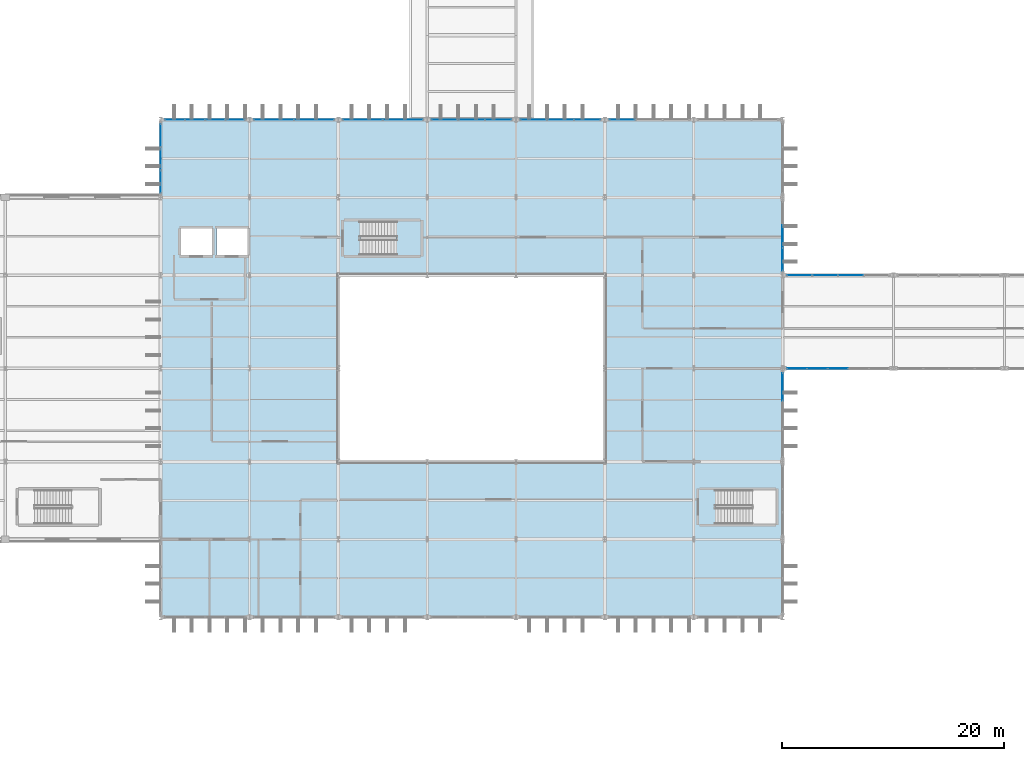
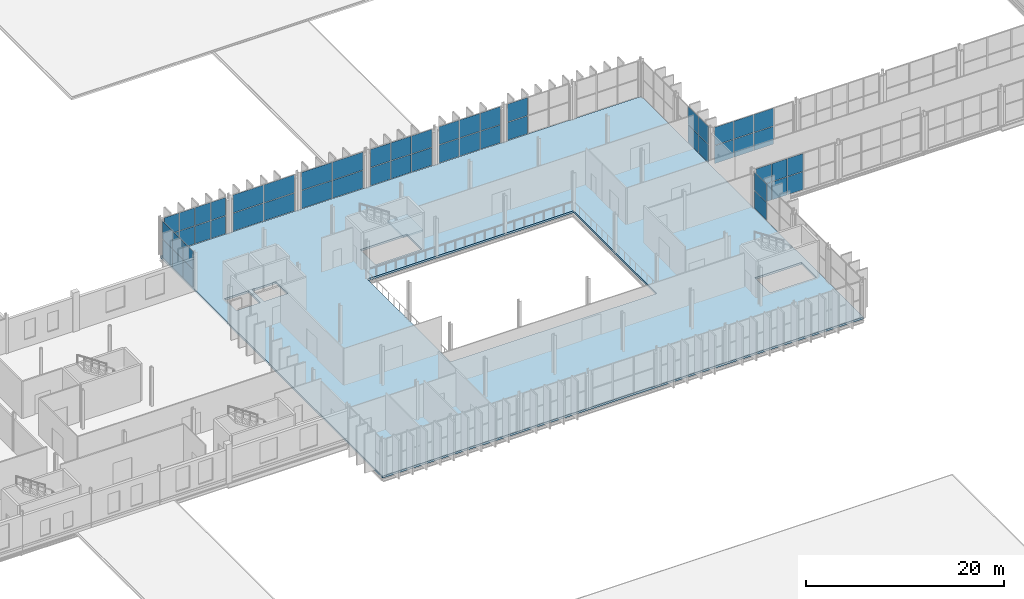
# One storey, part 83 of 120: 54 plates, 2 slabs, 12 elements without a shape of their own.
"""IFC4 building model written with IfcOpenShell, lengths in metres."""

from ifc_helpers import new_model, si_unit, direction, frame, origin, origin_2d, place, context, subcontext, project, spatial, polyline, rectangle, outline, extrude, material, layer, layer_set, type_object, element, aggregate, save


model = new_model("IFC4")

# Units and contexts
model_context = context("Model", 3, precision=1e-05, world=origin(), true_north=direction((0.0, 1.0)))
body_context = subcontext(model_context, "Body", "Model", "MODEL_VIEW")
ifc_project = project(units=[si_unit("LENGTHUNIT", "METRE"), si_unit("AREAUNIT", "SQUARE_METRE"), si_unit("VOLUMEUNIT", "CUBIC_METRE"), si_unit("PLANEANGLEUNIT", "RADIAN"), si_unit("MASSUNIT", "GRAM", prefix="KILO")], contexts=[model_context])

# Site, building, storey
site_placement = place(None, origin())
site = spatial("IfcSite", under=ifc_project, at=site_placement, CompositionType="ELEMENT")
building_placement = place(site_placement, origin())
building = spatial("IfcBuilding", under=site, at=building_placement, Name="Vekula Escarpment Museum", CompositionType="ELEMENT")
storey_placement = place(building_placement, frame((0.0, 0.0, 13.199951171875)))
storey = spatial("IfcBuildingStorey", under=building, at=storey_placement, Name="L03", CompositionType="ELEMENT", Elevation=13.199951171875)

# Curtain wall, plates
ifc_material_1 = material(Name="Aluminium thermally broken framing", Category="aluminium")
ifc_layer_1 = layer(ifc_material_1, 0.169921875)
ifc_layer_set_1 = layer_set([ifc_layer_1], Name="Aluminium thermally broken framing")
curtain_wall_type_1 = type_object("IfcCurtainWallType", Name="CW-SYS-10", PredefinedType="NOTDEFINED", material=ifc_layer_set_1)
curtain_wall_1_placement = place(storey_placement, origin())
curtain_wall_1 = element("IfcCurtainWall", 1, at=curtain_wall_1_placement, inside=storey, type_object=curtain_wall_type_1, Name="Curtain Wall CW-L03-120", PredefinedType="NOTDEFINED")
ifc_material_2 = material(Name="Double solar-control low-E glass", Category="glass")
ifc_layer_2 = layer(ifc_material_2, 0.028076171875)
ifc_layer_set_2 = layer_set([ifc_layer_2], Name="Double solar-control low-E glass")
plate_type_1 = type_object("IfcPlateType", Name="CW-PNL-28", PredefinedType="CURTAIN_PANEL", material=ifc_layer_set_2)
plate_1_placement = place(storey_placement, frame((132.159912109375, 76.39990234375, 0.06005859375), z_axis=(0.0, 0.0, 1.0), x_axis=(-1.0, 0.0, 0.0)))
plate_1 = element("IfcPlate", 2, at=plate_1_placement, type_object=plate_type_1, Name="CW-10 panel 2.1", PredefinedType="CURTAIN_PANEL", context=body_context, shape_type="SweptSolid", body=[
    extrude(rectangle(XDim=2.260009765625, YDim=0.028076171875, at=origin_2d()), origin(), (0.0, 0.0, 1.0), 2.18994140625),
])
plate_2_placement = place(storey_placement, frame((132.159912109375, 76.39990234375, 2.31005859375), z_axis=(0.0, 0.0, 1.0), x_axis=(-1.0, 0.0, 0.0)))
plate_2 = element("IfcPlate", 3, at=plate_2_placement, type_object=plate_type_1, Name="CW-10 panel 2.2", PredefinedType="CURTAIN_PANEL", context=body_context, shape_type="SweptSolid", body=[
    extrude(rectangle(XDim=2.260009765625, YDim=0.028076171875, at=origin_2d()), origin(), (0.0, 0.0, 1.0), 2.18994140625),
])
plate_3_placement = place(storey_placement, frame((129.840087890625, 76.39990234375, 0.06005859375), z_axis=(0.0, 0.0, 1.0), x_axis=(-1.0, 0.0, 0.0)))
plate_3 = element("IfcPlate", 4, at=plate_3_placement, type_object=plate_type_1, Name="CW-10 panel 3.1", PredefinedType="CURTAIN_PANEL", context=body_context, shape_type="SweptSolid", body=[
    extrude(rectangle(XDim=2.260009765625, YDim=0.028076171875, at=origin_2d()), origin(), (0.0, 0.0, 1.0), 2.18994140625),
])
plate_4_placement = place(storey_placement, frame((129.840087890625, 76.39990234375, 2.31005859375), z_axis=(0.0, 0.0, 1.0), x_axis=(-1.0, 0.0, 0.0)))
plate_4 = element("IfcPlate", 5, at=plate_4_placement, type_object=plate_type_1, Name="CW-10 panel 3.2", PredefinedType="CURTAIN_PANEL", context=body_context, shape_type="SweptSolid", body=[
    extrude(rectangle(XDim=2.260009765625, YDim=0.028076171875, at=origin_2d()), origin(), (0.0, 0.0, 1.0), 2.18994140625),
])
plate_5_placement = place(storey_placement, frame((127.534912109375, 76.39990234375, 0.06005859375), z_axis=(0.0, 0.0, 1.0), x_axis=(-1.0, 0.0, 0.0)))
plate_5 = element("IfcPlate", 6, at=plate_5_placement, type_object=plate_type_1, Name="CW-10 panel 4.1", PredefinedType="CURTAIN_PANEL", context=body_context, shape_type="SweptSolid", body=[
    extrude(rectangle(XDim=2.22998046875, YDim=0.028076171875, at=origin_2d()), origin(), (0.0, 0.0, 1.0), 2.18994140625),
])
plate_6_placement = place(storey_placement, frame((127.534912109375, 76.39990234375, 2.31005859375), z_axis=(0.0, 0.0, 1.0), x_axis=(-1.0, 0.0, 0.0)))
plate_6 = element("IfcPlate", 7, at=plate_6_placement, type_object=plate_type_1, Name="CW-10 panel 4.2", PredefinedType="CURTAIN_PANEL", context=body_context, shape_type="SweptSolid", body=[
    extrude(rectangle(XDim=2.22998046875, YDim=0.028076171875, at=origin_2d()), origin(), (0.0, 0.0, 1.0), 2.18994140625),
])
aggregate(curtain_wall_1, [plate_1, plate_2, plate_3, plate_4, plate_5, plate_6])

ifc_material_3 = material(Name="Aluminium thermally broken framing", Category="aluminium")
ifc_layer_3 = layer(ifc_material_3, 0.199951171875)
ifc_layer_set_3 = layer_set([ifc_layer_3], Name="Aluminium thermally broken framing")
curtain_wall_type_2 = type_object("IfcCurtainWallType", Name="CW-SYS-04", PredefinedType="NOTDEFINED", material=ifc_layer_set_3)
curtain_wall_2_placement = place(storey_placement, origin())
curtain_wall_2 = element("IfcCurtainWall", 8, at=curtain_wall_2_placement, inside=storey, type_object=curtain_wall_type_2, Name="Curtain Wall CW-L03-124", PredefinedType="NOTDEFINED")
plate_7_placement = place(storey_placement, frame((111.58837890625, 90.39990234375, 0.06005859375), z_axis=(0.0, 0.0, 1.0), x_axis=(-1.0, 0.0, 0.0)))
plate_7 = element("IfcPlate", 9, at=plate_7_placement, type_object=plate_type_1, Name="CW-04 panel 3.1", PredefinedType="CURTAIN_PANEL", context=body_context, shape_type="SweptSolid", body=[
    extrude(rectangle(XDim=2.336669921875, YDim=0.028076171875, at=origin_2d()), origin(), (0.0, 0.0, 1.0), 2.18994140625),
])
plate_8_placement = place(storey_placement, frame((111.58837890625, 90.39990234375, 2.31005859375), z_axis=(0.0, 0.0, 1.0), x_axis=(-1.0, 0.0, 0.0)))
plate_8 = element("IfcPlate", 10, at=plate_8_placement, type_object=plate_type_1, Name="CW-04 panel 3.2", PredefinedType="CURTAIN_PANEL", context=body_context, shape_type="SweptSolid", body=[
    extrude(rectangle(XDim=2.336669921875, YDim=0.028076171875, at=origin_2d()), origin(), (0.0, 0.0, 1.0), 2.18994140625),
])
aggregate(curtain_wall_2, [plate_7, plate_8])

ifc_material_4 = material(Name="Aluminium thermally broken framing", Category="aluminium")
ifc_layer_4 = layer(ifc_material_4, 0.179931640625)
ifc_layer_set_4 = layer_set([ifc_layer_4], Name="Aluminium thermally broken framing")
curtain_wall_type_3 = type_object("IfcCurtainWallType", Name="CW-SYS-08", PredefinedType="NOTDEFINED", material=ifc_layer_set_4)
curtain_wall_3_placement = place(storey_placement, origin())
curtain_wall_3 = element("IfcCurtainWall", 11, at=curtain_wall_3_placement, inside=storey, type_object=curtain_wall_type_3, Name="Curtain Wall CW-L03-128", PredefinedType="NOTDEFINED")
plate_9_placement = place(storey_placement, frame((83.804931640625, 90.39990234375, 0.06005859375), z_axis=(0.0, 0.0, 1.0), x_axis=(-1.0, 0.0, 0.0)))
plate_9 = element("IfcPlate", 12, at=plate_9_placement, type_object=plate_type_1, Name="CW-08 panel 1.1", PredefinedType="CURTAIN_PANEL", context=body_context, shape_type="SweptSolid", body=[
    extrude(rectangle(XDim=3.550048828125, YDim=0.028076171875, at=origin_2d()), origin(), (0.0, 0.0, 1.0), 2.18994140625),
])
plate_10_placement = place(storey_placement, frame((83.804931640625, 90.39990234375, 2.31005859375), z_axis=(0.0, 0.0, 1.0), x_axis=(-1.0, 0.0, 0.0)))
plate_10 = element("IfcPlate", 13, at=plate_10_placement, type_object=plate_type_1, Name="CW-08 panel 1.2", PredefinedType="CURTAIN_PANEL", context=body_context, shape_type="SweptSolid", body=[
    extrude(rectangle(XDim=3.550048828125, YDim=0.028076171875, at=origin_2d()), origin(), (0.0, 0.0, 1.0), 2.18994140625),
])
plate_11_placement = place(storey_placement, frame((80.195068359375, 90.39990234375, 0.06005859375), z_axis=(0.0, 0.0, 1.0), x_axis=(-1.0, 0.0, 0.0)))
plate_11 = element("IfcPlate", 14, at=plate_11_placement, type_object=plate_type_1, Name="CW-08 panel 2.1", PredefinedType="CURTAIN_PANEL", context=body_context, shape_type="SweptSolid", body=[
    extrude(rectangle(XDim=3.550048828125, YDim=0.028076171875, at=origin_2d()), origin(), (0.0, 0.0, 1.0), 2.18994140625),
])
plate_12_placement = place(storey_placement, frame((80.195068359375, 90.39990234375, 2.31005859375), z_axis=(0.0, 0.0, 1.0), x_axis=(-1.0, 0.0, 0.0)))
plate_12 = element("IfcPlate", 15, at=plate_12_placement, type_object=plate_type_1, Name="CW-08 panel 2.2", PredefinedType="CURTAIN_PANEL", context=body_context, shape_type="SweptSolid", body=[
    extrude(rectangle(XDim=3.550048828125, YDim=0.028076171875, at=origin_2d()), origin(), (0.0, 0.0, 1.0), 2.18994140625),
])
aggregate(curtain_wall_3, [plate_9, plate_10, plate_11, plate_12])

ifc_material_5 = material(Name="Aluminium thermally broken framing", Category="aluminium")
ifc_layer_5 = layer(ifc_material_5, 0.159912109375)
ifc_layer_set_5 = layer_set([ifc_layer_5], Name="Aluminium thermally broken framing")
curtain_wall_type_4 = type_object("IfcCurtainWallType", Name="CW-SYS-01", PredefinedType="NOTDEFINED", material=ifc_layer_set_5)
curtain_wall_4_placement = place(storey_placement, origin())
curtain_wall_4 = element("IfcCurtainWall", 16, at=curtain_wall_4_placement, inside=storey, type_object=curtain_wall_type_4, Name="Curtain Wall CW-L03-121", PredefinedType="NOTDEFINED")
ifc_material_6 = material(Name="Acoustic laminated double low-E glass", Category="glass")
ifc_layer_6 = layer(ifc_material_6, 0.031982421875)
ifc_layer_set_6 = layer_set([ifc_layer_6], Name="Acoustic laminated double low-E glass")
plate_type_2 = type_object("IfcPlateType", Name="CW-PNL-32", PredefinedType="CURTAIN_PANEL", material=ifc_layer_set_6)
plate_13_placement = place(storey_placement, frame((126.0, 77.82177734375, 0.06005859375), z_axis=(0.0, 0.0, 1.0), x_axis=(0.0, 1.0, 0.0)))
plate_13 = element("IfcPlate", 17, at=plate_13_placement, type_object=plate_type_2, Name="CW-01 panel 1.1", PredefinedType="CURTAIN_PANEL", context=body_context, shape_type="SweptSolid", body=[
    extrude(rectangle(XDim=2.00341796875, YDim=0.031982421875, at=origin_2d()), origin(), (0.0, 0.0, 1.0), 2.18994140625),
])
plate_14_placement = place(storey_placement, frame((126.0, 77.82177734375, 2.31005859375), z_axis=(0.0, 0.0, 1.0), x_axis=(0.0, 1.0, 0.0)))
plate_14 = element("IfcPlate", 18, at=plate_14_placement, type_object=plate_type_2, Name="CW-01 panel 1.2", PredefinedType="CURTAIN_PANEL", context=body_context, shape_type="SweptSolid", body=[
    extrude(rectangle(XDim=2.00341796875, YDim=0.031982421875, at=origin_2d()), origin(), (0.0, 0.0, 1.0), 2.18994140625),
])
plate_15_placement = place(storey_placement, frame((126.0, 79.89990234375, 0.06005859375), z_axis=(0.0, 0.0, 1.0), x_axis=(0.0, 1.0, 0.0)))
plate_15 = element("IfcPlate", 19, at=plate_15_placement, type_object=plate_type_2, Name="CW-01 panel 2.1", PredefinedType="CURTAIN_PANEL", context=body_context, shape_type="SweptSolid", body=[
    extrude(rectangle(XDim=2.033447265625, YDim=0.031982421875, at=origin_2d()), origin(), (0.0, 0.0, 1.0), 2.18994140625),
])
plate_16_placement = place(storey_placement, frame((126.0, 79.89990234375, 2.31005859375), z_axis=(0.0, 0.0, 1.0), x_axis=(0.0, 1.0, 0.0)))
plate_16 = element("IfcPlate", 20, at=plate_16_placement, type_object=plate_type_2, Name="CW-01 panel 2.2", PredefinedType="CURTAIN_PANEL", context=body_context, shape_type="SweptSolid", body=[
    extrude(rectangle(XDim=2.033447265625, YDim=0.031982421875, at=origin_2d()), origin(), (0.0, 0.0, 1.0), 2.18994140625),
])
aggregate(curtain_wall_4, [plate_13, plate_14, plate_15, plate_16])

ifc_material_7 = material(Name="Aluminium thermally broken framing", Category="aluminium")
ifc_layer_7 = layer(ifc_material_7, 0.159912109375)
ifc_layer_set_7 = layer_set([ifc_layer_7], Name="Aluminium thermally broken framing")
curtain_wall_type_5 = type_object("IfcCurtainWallType", Name="CW-SYS-05", PredefinedType="NOTDEFINED", material=ifc_layer_set_7)
curtain_wall_5_placement = place(storey_placement, origin())
curtain_wall_5 = element("IfcCurtainWall", 21, at=curtain_wall_5_placement, inside=storey, type_object=curtain_wall_type_5, Name="Curtain Wall CW-L03-125", PredefinedType="NOTDEFINED")
plate_17_placement = place(storey_placement, frame((108.41162109375, 90.39990234375, 0.06005859375), z_axis=(0.0, 0.0, 1.0), x_axis=(-1.0, 0.0, 0.0)))
plate_17 = element("IfcPlate", 22, at=plate_17_placement, type_object=plate_type_2, Name="CW-05 panel 1.1", PredefinedType="CURTAIN_PANEL", context=body_context, shape_type="SweptSolid", body=[
    extrude(rectangle(XDim=2.336669921875, YDim=0.031982421875, at=origin_2d()), origin(), (0.0, 0.0, 1.0), 2.18994140625),
])
plate_18_placement = place(storey_placement, frame((108.41162109375, 90.39990234375, 2.31005859375), z_axis=(0.0, 0.0, 1.0), x_axis=(-1.0, 0.0, 0.0)))
plate_18 = element("IfcPlate", 23, at=plate_18_placement, type_object=plate_type_2, Name="CW-05 panel 1.2", PredefinedType="CURTAIN_PANEL", context=body_context, shape_type="SweptSolid", body=[
    extrude(rectangle(XDim=2.336669921875, YDim=0.031982421875, at=origin_2d()), origin(), (0.0, 0.0, 1.0), 2.18994140625),
])
plate_19_placement = place(storey_placement, frame((106.0, 90.39990234375, 0.06005859375), z_axis=(0.0, 0.0, 1.0), x_axis=(-1.0, 0.0, 0.0)))
plate_19 = element("IfcPlate", 24, at=plate_19_placement, type_object=plate_type_2, Name="CW-05 panel 2.1", PredefinedType="CURTAIN_PANEL", context=body_context, shape_type="SweptSolid", body=[
    extrude(rectangle(XDim=2.36669921875, YDim=0.031982421875, at=origin_2d()), origin(), (0.0, 0.0, 1.0), 2.18994140625),
])
plate_20_placement = place(storey_placement, frame((106.0, 90.39990234375, 2.31005859375), z_axis=(0.0, 0.0, 1.0), x_axis=(-1.0, 0.0, 0.0)))
plate_20 = element("IfcPlate", 25, at=plate_20_placement, type_object=plate_type_2, Name="CW-05 panel 2.2", PredefinedType="CURTAIN_PANEL", context=body_context, shape_type="SweptSolid", body=[
    extrude(rectangle(XDim=2.36669921875, YDim=0.031982421875, at=origin_2d()), origin(), (0.0, 0.0, 1.0), 2.18994140625),
])
plate_21_placement = place(storey_placement, frame((103.58837890625, 90.39990234375, 0.06005859375), z_axis=(0.0, 0.0, 1.0), x_axis=(-1.0, 0.0, 0.0)))
plate_21 = element("IfcPlate", 26, at=plate_21_placement, type_object=plate_type_2, Name="CW-05 panel 3.1", PredefinedType="CURTAIN_PANEL", context=body_context, shape_type="SweptSolid", body=[
    extrude(rectangle(XDim=2.336669921875, YDim=0.031982421875, at=origin_2d()), origin(), (0.0, 0.0, 1.0), 2.18994140625),
])
plate_22_placement = place(storey_placement, frame((103.58837890625, 90.39990234375, 2.31005859375), z_axis=(0.0, 0.0, 1.0), x_axis=(-1.0, 0.0, 0.0)))
plate_22 = element("IfcPlate", 27, at=plate_22_placement, type_object=plate_type_2, Name="CW-05 panel 3.2", PredefinedType="CURTAIN_PANEL", context=body_context, shape_type="SweptSolid", body=[
    extrude(rectangle(XDim=2.336669921875, YDim=0.031982421875, at=origin_2d()), origin(), (0.0, 0.0, 1.0), 2.18994140625),
])
aggregate(curtain_wall_5, [plate_17, plate_18, plate_19, plate_20, plate_21, plate_22])

ifc_material_8 = material(Name="Aluminium thermally broken framing", Category="aluminium")
ifc_layer_8 = layer(ifc_material_8, 0.14990234375)
ifc_layer_set_8 = layer_set([ifc_layer_8], Name="Aluminium thermally broken framing")
curtain_wall_type_6 = type_object("IfcCurtainWallType", Name="CW-SYS-09", PredefinedType="NOTDEFINED", material=ifc_layer_set_8)
curtain_wall_6_placement = place(storey_placement, origin())
curtain_wall_6 = element("IfcCurtainWall", 28, at=curtain_wall_6_placement, inside=storey, type_object=curtain_wall_type_6, Name="Curtain Wall CW-L03-129", PredefinedType="NOTDEFINED")
plate_23_placement = place(storey_placement, frame((76.715087890625, 90.39990234375, 0.06005859375), z_axis=(0.0, 0.0, 1.0), x_axis=(-1.0, 0.0, 0.0)))
plate_23 = element("IfcPlate", 29, at=plate_23_placement, type_object=plate_type_2, Name="CW-09 panel 1.1", PredefinedType="CURTAIN_PANEL", context=body_context, shape_type="SweptSolid", body=[
    extrude(rectangle(XDim=1.72998046875, YDim=0.031982421875, at=origin_2d()), origin(), (0.0, 0.0, 1.0), 2.18994140625),
])
plate_24_placement = place(storey_placement, frame((76.715087890625, 90.39990234375, 2.31005859375), z_axis=(0.0, 0.0, 1.0), x_axis=(-1.0, 0.0, 0.0)))
plate_24 = element("IfcPlate", 30, at=plate_24_placement, type_object=plate_type_2, Name="CW-09 panel 1.2", PredefinedType="CURTAIN_PANEL", context=body_context, shape_type="SweptSolid", body=[
    extrude(rectangle(XDim=1.72998046875, YDim=0.031982421875, at=origin_2d()), origin(), (0.0, 0.0, 1.0), 2.18994140625),
])
plate_25_placement = place(storey_placement, frame((74.909912109375, 90.39990234375, 0.06005859375), z_axis=(0.0, 0.0, 1.0), x_axis=(-1.0, 0.0, 0.0)))
plate_25 = element("IfcPlate", 31, at=plate_25_placement, type_object=plate_type_2, Name="CW-09 panel 2.1", PredefinedType="CURTAIN_PANEL", context=body_context, shape_type="SweptSolid", body=[
    extrude(rectangle(XDim=1.760009765625, YDim=0.031982421875, at=origin_2d()), origin(), (0.0, 0.0, 1.0), 2.18994140625),
])
plate_26_placement = place(storey_placement, frame((74.909912109375, 90.39990234375, 2.31005859375), z_axis=(0.0, 0.0, 1.0), x_axis=(-1.0, 0.0, 0.0)))
plate_26 = element("IfcPlate", 32, at=plate_26_placement, type_object=plate_type_2, Name="CW-09 panel 2.2", PredefinedType="CURTAIN_PANEL", context=body_context, shape_type="SweptSolid", body=[
    extrude(rectangle(XDim=1.760009765625, YDim=0.031982421875, at=origin_2d()), origin(), (0.0, 0.0, 1.0), 2.18994140625),
])
plate_27_placement = place(storey_placement, frame((73.090087890625, 90.39990234375, 0.06005859375), z_axis=(0.0, 0.0, 1.0), x_axis=(-1.0, 0.0, 0.0)))
plate_27 = element("IfcPlate", 33, at=plate_27_placement, type_object=plate_type_2, Name="CW-09 panel 3.1", PredefinedType="CURTAIN_PANEL", context=body_context, shape_type="SweptSolid", body=[
    extrude(rectangle(XDim=1.760009765625, YDim=0.031982421875, at=origin_2d()), origin(), (0.0, 0.0, 1.0), 2.18994140625),
])
plate_28_placement = place(storey_placement, frame((73.090087890625, 90.39990234375, 2.31005859375), z_axis=(0.0, 0.0, 1.0), x_axis=(-1.0, 0.0, 0.0)))
plate_28 = element("IfcPlate", 34, at=plate_28_placement, type_object=plate_type_2, Name="CW-09 panel 3.2", PredefinedType="CURTAIN_PANEL", context=body_context, shape_type="SweptSolid", body=[
    extrude(rectangle(XDim=1.760009765625, YDim=0.031982421875, at=origin_2d()), origin(), (0.0, 0.0, 1.0), 2.18994140625),
])
plate_29_placement = place(storey_placement, frame((71.284912109375, 90.39990234375, 0.06005859375), z_axis=(0.0, 0.0, 1.0), x_axis=(-1.0, 0.0, 0.0)))
plate_29 = element("IfcPlate", 35, at=plate_29_placement, type_object=plate_type_2, Name="CW-09 panel 4.1", PredefinedType="CURTAIN_PANEL", context=body_context, shape_type="SweptSolid", body=[
    extrude(rectangle(XDim=1.72998046875, YDim=0.031982421875, at=origin_2d()), origin(), (0.0, 0.0, 1.0), 2.18994140625),
])
plate_30_placement = place(storey_placement, frame((71.284912109375, 90.39990234375, 2.31005859375), z_axis=(0.0, 0.0, 1.0), x_axis=(-1.0, 0.0, 0.0)))
plate_30 = element("IfcPlate", 36, at=plate_30_placement, type_object=plate_type_2, Name="CW-09 panel 4.2", PredefinedType="CURTAIN_PANEL", context=body_context, shape_type="SweptSolid", body=[
    extrude(rectangle(XDim=1.72998046875, YDim=0.031982421875, at=origin_2d()), origin(), (0.0, 0.0, 1.0), 2.18994140625),
])
aggregate(curtain_wall_6, [plate_23, plate_24, plate_25, plate_26, plate_27, plate_28, plate_29, plate_30])

curtain_wall_7_placement = place(storey_placement, origin())
curtain_wall_7 = element("IfcCurtainWall", 37, at=curtain_wall_7_placement, inside=storey, type_object=curtain_wall_type_1, Name="Curtain Wall CW-L03-110", PredefinedType="NOTDEFINED")
ifc_material_9 = material(Name="Triple UV-filtered museum gallery glass", Category="glass")
ifc_layer_9 = layer(ifc_material_9, 0.035888671875)
ifc_layer_set_9 = layer_set([ifc_layer_9], Name="Triple UV-filtered museum gallery glass")
plate_type_3 = type_object("IfcPlateType", Name="CW-PNL-36", PredefinedType="CURTAIN_PANEL", material=ifc_layer_set_9)
plate_31_placement = place(storey_placement, frame((126.0, 66.344970703125, 0.06005859375), z_axis=(0.0, 0.0, 1.0), x_axis=(0.0, 1.0, 0.0)))
plate_31 = element("IfcPlate", 38, at=plate_31_placement, type_object=plate_type_3, Name="CW-10 panel 3.1", PredefinedType="CURTAIN_PANEL", context=body_context, shape_type="SweptSolid", body=[
    extrude(rectangle(XDim=2.469970703125, YDim=0.035888671875, at=origin_2d()), origin(), (0.0, 0.0, 1.0), 2.18994140625),
])
plate_32_placement = place(storey_placement, frame((126.0, 66.344970703125, 2.31005859375), z_axis=(0.0, 0.0, 1.0), x_axis=(0.0, 1.0, 0.0)))
plate_32 = element("IfcPlate", 39, at=plate_32_placement, type_object=plate_type_3, Name="CW-10 panel 3.2", PredefinedType="CURTAIN_PANEL", context=body_context, shape_type="SweptSolid", body=[
    extrude(rectangle(XDim=2.469970703125, YDim=0.035888671875, at=origin_2d()), origin(), (0.0, 0.0, 1.0), 2.18994140625),
])
aggregate(curtain_wall_7, [plate_31, plate_32])

ifc_material_10 = material(Name="Aluminium thermally broken framing", Category="aluminium")
ifc_layer_10 = layer(ifc_material_10, 0.139892578125)
ifc_layer_set_10 = layer_set([ifc_layer_10], Name="Aluminium thermally broken framing")
curtain_wall_type_7 = type_object("IfcCurtainWallType", Name="CW-SYS-06", PredefinedType="NOTDEFINED", material=ifc_layer_set_10)
curtain_wall_8_placement = place(storey_placement, origin())
curtain_wall_8 = element("IfcCurtainWall", 40, at=curtain_wall_8_placement, inside=storey, type_object=curtain_wall_type_7, Name="Curtain Wall CW-L03-126", PredefinedType="NOTDEFINED")
plate_33_placement = place(storey_placement, frame((100.41162109375, 90.39990234375, 0.06005859375), z_axis=(0.0, 0.0, 1.0), x_axis=(-1.0, 0.0, 0.0)))
plate_33 = element("IfcPlate", 41, at=plate_33_placement, type_object=plate_type_3, Name="CW-06 panel 1.1", PredefinedType="CURTAIN_PANEL", context=body_context, shape_type="SweptSolid", body=[
    extrude(rectangle(XDim=2.336669921875, YDim=0.035888671875, at=origin_2d()), origin(), (0.0, 0.0, 1.0), 2.18994140625),
])
plate_34_placement = place(storey_placement, frame((100.41162109375, 90.39990234375, 2.31005859375), z_axis=(0.0, 0.0, 1.0), x_axis=(-1.0, 0.0, 0.0)))
plate_34 = element("IfcPlate", 42, at=plate_34_placement, type_object=plate_type_3, Name="CW-06 panel 1.2", PredefinedType="CURTAIN_PANEL", context=body_context, shape_type="SweptSolid", body=[
    extrude(rectangle(XDim=2.336669921875, YDim=0.035888671875, at=origin_2d()), origin(), (0.0, 0.0, 1.0), 2.18994140625),
])
plate_35_placement = place(storey_placement, frame((98.0, 90.39990234375, 0.06005859375), z_axis=(0.0, 0.0, 1.0), x_axis=(-1.0, 0.0, 0.0)))
plate_35 = element("IfcPlate", 43, at=plate_35_placement, type_object=plate_type_3, Name="CW-06 panel 2.1", PredefinedType="CURTAIN_PANEL", context=body_context, shape_type="SweptSolid", body=[
    extrude(rectangle(XDim=2.36669921875, YDim=0.035888671875, at=origin_2d()), origin(), (0.0, 0.0, 1.0), 2.18994140625),
])
plate_36_placement = place(storey_placement, frame((98.0, 90.39990234375, 2.31005859375), z_axis=(0.0, 0.0, 1.0), x_axis=(-1.0, 0.0, 0.0)))
plate_36 = element("IfcPlate", 44, at=plate_36_placement, type_object=plate_type_3, Name="CW-06 panel 2.2", PredefinedType="CURTAIN_PANEL", context=body_context, shape_type="SweptSolid", body=[
    extrude(rectangle(XDim=2.36669921875, YDim=0.035888671875, at=origin_2d()), origin(), (0.0, 0.0, 1.0), 2.18994140625),
])
plate_37_placement = place(storey_placement, frame((95.58837890625, 90.39990234375, 0.06005859375), z_axis=(0.0, 0.0, 1.0), x_axis=(-1.0, 0.0, 0.0)))
plate_37 = element("IfcPlate", 45, at=plate_37_placement, type_object=plate_type_3, Name="CW-06 panel 3.1", PredefinedType="CURTAIN_PANEL", context=body_context, shape_type="SweptSolid", body=[
    extrude(rectangle(XDim=2.336669921875, YDim=0.035888671875, at=origin_2d()), origin(), (0.0, 0.0, 1.0), 2.18994140625),
])
plate_38_placement = place(storey_placement, frame((95.58837890625, 90.39990234375, 2.31005859375), z_axis=(0.0, 0.0, 1.0), x_axis=(-1.0, 0.0, 0.0)))
plate_38 = element("IfcPlate", 46, at=plate_38_placement, type_object=plate_type_3, Name="CW-06 panel 3.2", PredefinedType="CURTAIN_PANEL", context=body_context, shape_type="SweptSolid", body=[
    extrude(rectangle(XDim=2.336669921875, YDim=0.035888671875, at=origin_2d()), origin(), (0.0, 0.0, 1.0), 2.18994140625),
])
aggregate(curtain_wall_8, [plate_33, plate_34, plate_35, plate_36, plate_37, plate_38])

curtain_wall_9_placement = place(storey_placement, origin())
curtain_wall_9 = element("IfcCurtainWall", 47, at=curtain_wall_9_placement, inside=storey, type_object=curtain_wall_type_1, Name="Curtain Wall CW-L03-130", PredefinedType="NOTDEFINED")
plate_39_placement = place(storey_placement, frame((70.0, 88.978271484375, 0.06005859375), z_axis=(0.0, 0.0, 1.0), x_axis=(0.0, -1.0, 0.0)))
plate_39 = element("IfcPlate", 48, at=plate_39_placement, type_object=plate_type_3, Name="CW-10 panel 1.1", PredefinedType="CURTAIN_PANEL", context=body_context, shape_type="SweptSolid", body=[
    extrude(rectangle(XDim=2.00341796875, YDim=0.035888671875, at=origin_2d()), origin(), (0.0, 0.0, 1.0), 2.18994140625),
])
plate_40_placement = place(storey_placement, frame((70.0, 88.978271484375, 2.31005859375), z_axis=(0.0, 0.0, 1.0), x_axis=(0.0, -1.0, 0.0)))
plate_40 = element("IfcPlate", 49, at=plate_40_placement, type_object=plate_type_3, Name="CW-10 panel 1.2", PredefinedType="CURTAIN_PANEL", context=body_context, shape_type="SweptSolid", body=[
    extrude(rectangle(XDim=2.00341796875, YDim=0.035888671875, at=origin_2d()), origin(), (0.0, 0.0, 1.0), 2.18994140625),
])
plate_41_placement = place(storey_placement, frame((70.0, 86.89990234375, 0.06005859375), z_axis=(0.0, 0.0, 1.0), x_axis=(0.0, -1.0, 0.0)))
plate_41 = element("IfcPlate", 50, at=plate_41_placement, type_object=plate_type_3, Name="CW-10 panel 2.1", PredefinedType="CURTAIN_PANEL", context=body_context, shape_type="SweptSolid", body=[
    extrude(rectangle(XDim=2.033447265625, YDim=0.035888671875, at=origin_2d()), origin(), (0.0, 0.0, 1.0), 2.18994140625),
])
plate_42_placement = place(storey_placement, frame((70.0, 86.89990234375, 2.31005859375), z_axis=(0.0, 0.0, 1.0), x_axis=(0.0, -1.0, 0.0)))
plate_42 = element("IfcPlate", 51, at=plate_42_placement, type_object=plate_type_3, Name="CW-10 panel 2.2", PredefinedType="CURTAIN_PANEL", context=body_context, shape_type="SweptSolid", body=[
    extrude(rectangle(XDim=2.033447265625, YDim=0.035888671875, at=origin_2d()), origin(), (0.0, 0.0, 1.0), 2.18994140625),
])
plate_43_placement = place(storey_placement, frame((70.0, 84.82177734375, 0.06005859375), z_axis=(0.0, 0.0, 1.0), x_axis=(0.0, -1.0, 0.0)))
plate_43 = element("IfcPlate", 52, at=plate_43_placement, type_object=plate_type_3, Name="CW-10 panel 3.1", PredefinedType="CURTAIN_PANEL", context=body_context, shape_type="SweptSolid", body=[
    extrude(rectangle(XDim=2.00341796875, YDim=0.035888671875, at=origin_2d()), origin(), (0.0, 0.0, 1.0), 2.18994140625),
])
plate_44_placement = place(storey_placement, frame((70.0, 84.82177734375, 2.31005859375), z_axis=(0.0, 0.0, 1.0), x_axis=(0.0, -1.0, 0.0)))
plate_44 = element("IfcPlate", 53, at=plate_44_placement, type_object=plate_type_3, Name="CW-10 panel 3.2", PredefinedType="CURTAIN_PANEL", context=body_context, shape_type="SweptSolid", body=[
    extrude(rectangle(XDim=2.00341796875, YDim=0.035888671875, at=origin_2d()), origin(), (0.0, 0.0, 1.0), 2.18994140625),
])
aggregate(curtain_wall_9, [plate_39, plate_40, plate_41, plate_42, plate_43, plate_44])

curtain_wall_10_placement = place(storey_placement, origin())
curtain_wall_10 = element("IfcCurtainWall", 54, at=curtain_wall_10_placement, inside=storey, type_object=curtain_wall_type_4, Name="Curtain Wall CW-L03-111", PredefinedType="NOTDEFINED")
ifc_material_11 = material(Name="Insulated bronze spandrel glass panel", Category="glass")
ifc_layer_11 = layer(ifc_material_11, 0.0400390625)
ifc_layer_set_11 = layer_set([ifc_layer_11], Name="Insulated bronze spandrel glass panel")
plate_type_4 = type_object("IfcPlateType", Name="CW-PNL-40", PredefinedType="CURTAIN_PANEL", material=ifc_layer_set_11)
plate_45_placement = place(storey_placement, frame((127.302978515625, 68.0, 0.06005859375), z_axis=(0.0, 0.0, 1.0), x_axis=(1.0, 0.0, 0.0)))
plate_45 = element("IfcPlate", 55, at=plate_45_placement, type_object=plate_type_4, Name="CW-01 panel 1.1", PredefinedType="CURTAIN_PANEL", context=body_context, shape_type="SweptSolid", body=[
    extrude(rectangle(XDim=1.76611328125, YDim=0.0400390625, at=origin_2d()), origin(), (0.0, 0.0, 1.0), 2.18994140625),
])
plate_46_placement = place(storey_placement, frame((127.302978515625, 68.0, 2.31005859375), z_axis=(0.0, 0.0, 1.0), x_axis=(1.0, 0.0, 0.0)))
plate_46 = element("IfcPlate", 56, at=plate_46_placement, type_object=plate_type_4, Name="CW-01 panel 1.2", PredefinedType="CURTAIN_PANEL", context=body_context, shape_type="SweptSolid", body=[
    extrude(rectangle(XDim=1.76611328125, YDim=0.0400390625, at=origin_2d()), origin(), (0.0, 0.0, 1.0), 2.18994140625),
])
plate_47_placement = place(storey_placement, frame((129.14404296875, 68.0, 0.06005859375), z_axis=(0.0, 0.0, 1.0), x_axis=(1.0, 0.0, 0.0)))
plate_47 = element("IfcPlate", 57, at=plate_47_placement, type_object=plate_type_4, Name="CW-01 panel 2.1", PredefinedType="CURTAIN_PANEL", context=body_context, shape_type="SweptSolid", body=[
    extrude(rectangle(XDim=1.7958984375, YDim=0.0400390625, at=origin_2d()), origin(), (0.0, 0.0, 1.0), 2.18994140625),
])
plate_48_placement = place(storey_placement, frame((129.14404296875, 68.0, 2.31005859375), z_axis=(0.0, 0.0, 1.0), x_axis=(1.0, 0.0, 0.0)))
plate_48 = element("IfcPlate", 58, at=plate_48_placement, type_object=plate_type_4, Name="CW-01 panel 2.2", PredefinedType="CURTAIN_PANEL", context=body_context, shape_type="SweptSolid", body=[
    extrude(rectangle(XDim=1.7958984375, YDim=0.0400390625, at=origin_2d()), origin(), (0.0, 0.0, 1.0), 2.18994140625),
])
plate_49_placement = place(storey_placement, frame((131.0, 68.0, 0.06005859375), z_axis=(0.0, 0.0, 1.0), x_axis=(1.0, 0.0, 0.0)))
plate_49 = element("IfcPlate", 59, at=plate_49_placement, type_object=plate_type_4, Name="CW-01 panel 3.1", PredefinedType="CURTAIN_PANEL", context=body_context, shape_type="SweptSolid", body=[
    extrude(rectangle(XDim=1.7958984375, YDim=0.0400390625, at=origin_2d()), origin(), (0.0, 0.0, 1.0), 2.18994140625),
])
plate_50_placement = place(storey_placement, frame((131.0, 68.0, 2.31005859375), z_axis=(0.0, 0.0, 1.0), x_axis=(1.0, 0.0, 0.0)))
plate_50 = element("IfcPlate", 60, at=plate_50_placement, type_object=plate_type_4, Name="CW-01 panel 3.2", PredefinedType="CURTAIN_PANEL", context=body_context, shape_type="SweptSolid", body=[
    extrude(rectangle(XDim=1.7958984375, YDim=0.0400390625, at=origin_2d()), origin(), (0.0, 0.0, 1.0), 2.18994140625),
])
aggregate(curtain_wall_10, [plate_45, plate_46, plate_47, plate_48, plate_49, plate_50])

ifc_material_12 = material(Name="Aluminium thermally broken framing", Category="aluminium")
ifc_layer_12 = layer(ifc_material_12, 0.179931640625)
ifc_layer_set_12 = layer_set([ifc_layer_12], Name="Aluminium thermally broken framing")
curtain_wall_type_8 = type_object("IfcCurtainWallType", Name="CW-SYS-07", PredefinedType="NOTDEFINED", material=ifc_layer_set_12)
curtain_wall_11_placement = place(storey_placement, origin())
curtain_wall_11 = element("IfcCurtainWall", 61, at=curtain_wall_11_placement, inside=storey, type_object=curtain_wall_type_8, Name="Curtain Wall CW-L03-127", PredefinedType="NOTDEFINED")
plate_51_placement = place(storey_placement, frame((91.804931640625, 90.39990234375, 0.06005859375), z_axis=(0.0, 0.0, 1.0), x_axis=(-1.0, 0.0, 0.0)))
plate_51 = element("IfcPlate", 62, at=plate_51_placement, type_object=plate_type_4, Name="CW-07 panel 1.1", PredefinedType="CURTAIN_PANEL", context=body_context, shape_type="SweptSolid", body=[
    extrude(rectangle(XDim=3.550048828125, YDim=0.0400390625, at=origin_2d()), origin(), (0.0, 0.0, 1.0), 2.18994140625),
])
plate_52_placement = place(storey_placement, frame((91.804931640625, 90.39990234375, 2.31005859375), z_axis=(0.0, 0.0, 1.0), x_axis=(-1.0, 0.0, 0.0)))
plate_52 = element("IfcPlate", 63, at=plate_52_placement, type_object=plate_type_4, Name="CW-07 panel 1.2", PredefinedType="CURTAIN_PANEL", context=body_context, shape_type="SweptSolid", body=[
    extrude(rectangle(XDim=3.550048828125, YDim=0.0400390625, at=origin_2d()), origin(), (0.0, 0.0, 1.0), 2.18994140625),
])
plate_53_placement = place(storey_placement, frame((88.195068359375, 90.39990234375, 0.06005859375), z_axis=(0.0, 0.0, 1.0), x_axis=(-1.0, 0.0, 0.0)))
plate_53 = element("IfcPlate", 64, at=plate_53_placement, type_object=plate_type_4, Name="CW-07 panel 2.1", PredefinedType="CURTAIN_PANEL", context=body_context, shape_type="SweptSolid", body=[
    extrude(rectangle(XDim=3.550048828125, YDim=0.0400390625, at=origin_2d()), origin(), (0.0, 0.0, 1.0), 2.18994140625),
])
plate_54_placement = place(storey_placement, frame((88.195068359375, 90.39990234375, 2.31005859375), z_axis=(0.0, 0.0, 1.0), x_axis=(-1.0, 0.0, 0.0)))
plate_54 = element("IfcPlate", 65, at=plate_54_placement, type_object=plate_type_4, Name="CW-07 panel 2.2", PredefinedType="CURTAIN_PANEL", context=body_context, shape_type="SweptSolid", body=[
    extrude(rectangle(XDim=3.550048828125, YDim=0.0400390625, at=origin_2d()), origin(), (0.0, 0.0, 1.0), 2.18994140625),
])
aggregate(curtain_wall_11, [plate_51, plate_52, plate_53, plate_54])

# Slab
ifc_material_13 = material(Name="Concrete C35/45", Category="concrete")
ifc_layer_13 = layer(ifc_material_13, 0.25)
ifc_layer_set_13 = layer_set([ifc_layer_13], Name="Concrete C35/45")
slab_type_1 = type_object("IfcSlabType", Name="SL-FLR-250", PredefinedType="FLOOR", material=ifc_layer_set_13)
slab_1_placement = place(storey_placement, frame((0.0, 0.0, -0.25)))
element("IfcSlab", 66, at=slab_1_placement, inside=storey, type_object=slab_type_1, Name="Floor Slab W-L03-V1-C", PredefinedType="FLOOR", context=body_context, shape_type="SweptSolid", body=[
    extrude(outline(polyline([(70.0, 45.60009765625), (126.0, 45.60009765625), (126.0, 90.39990234375), (70.0, 90.39990234375), (70.0, 45.60009765625)]), holes=[polyline([(86.0, 59.60009765625), (110.0, 59.60009765625), (110.0, 76.39990234375), (86.0, 76.39990234375), (86.0, 59.60009765625)]), polyline([(119.97998046875, 54.0), (125.39990234375, 54.0), (125.39990234375, 57.0400390625), (119.97998046875, 57.0400390625), (119.97998046875, 54.0)]), polyline([(87.97998046875, 78.199951171875), (93.39990234375, 78.199951171875), (93.39990234375, 81.239990234375), (87.97998046875, 81.239990234375), (87.97998046875, 78.199951171875)]), polyline([(71.800048828125, 78.199951171875), (74.60009765625, 78.199951171875), (74.60009765625, 80.60009765625), (71.800048828125, 80.60009765625), (71.800048828125, 78.199951171875)]), polyline([(75.0, 78.199951171875), (77.800048828125, 78.199951171875), (77.800048828125, 80.60009765625), (75.0, 80.60009765625), (75.0, 78.199951171875)])]), origin(), (0.0, 0.0, 1.0), 0.25),
])

# Stair, slab
ifc_material_14 = material(Name="Concrete C35/45", Category="concrete")
stair_type = type_object("IfcStairType", Name="STR-TYPE-142", PredefinedType="HALF_TURN_STAIR", material=ifc_material_14)
stair_placement = place(storey_placement, origin())
stair = element("IfcStair", 67, at=stair_placement, inside=storey, type_object=stair_type, Name="L03 Great Hall North Exit Stair ST-09", PredefinedType="HALF_TURN_STAIR")
ifc_material_15 = material(Name="Concrete C35/45", Category="concrete")
ifc_layer_14 = layer(ifc_material_15, 0.199951171875)
ifc_layer_set_14 = layer_set([ifc_layer_14], Name="Concrete C35/45")
slab_type_2 = type_object("IfcSlabType", Name="SL-LAND-200", PredefinedType="LANDING", material=ifc_layer_set_14)
slab_2_placement = place(storey_placement, frame((0.0, 0.0, 2.199951171875)))
slab_2 = element("IfcSlab", 68, at=slab_2_placement, type_object=slab_type_2, Name="ST-09 landing 1", PredefinedType="LANDING", context=body_context, shape_type="SweptSolid", body=[
    extrude(outline(polyline([(91.18994140625, 78.110107421875), (93.489990234375, 78.110107421875), (93.489990234375, 81.330078125), (91.18994140625, 81.330078125), (91.18994140625, 78.110107421875)])), origin(), (0.0, 0.0, 1.0), 0.2001953125),
])
aggregate(stair, [slab_2])

save(model, "model.ifc")
